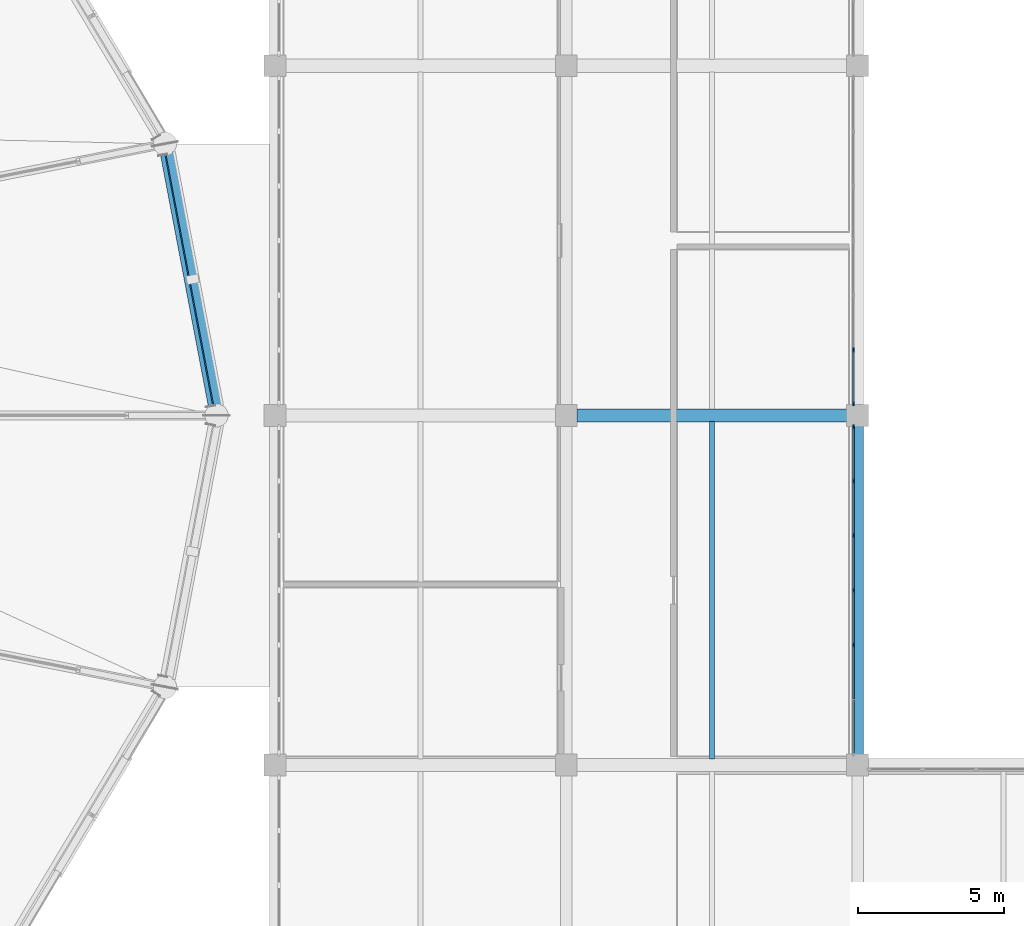
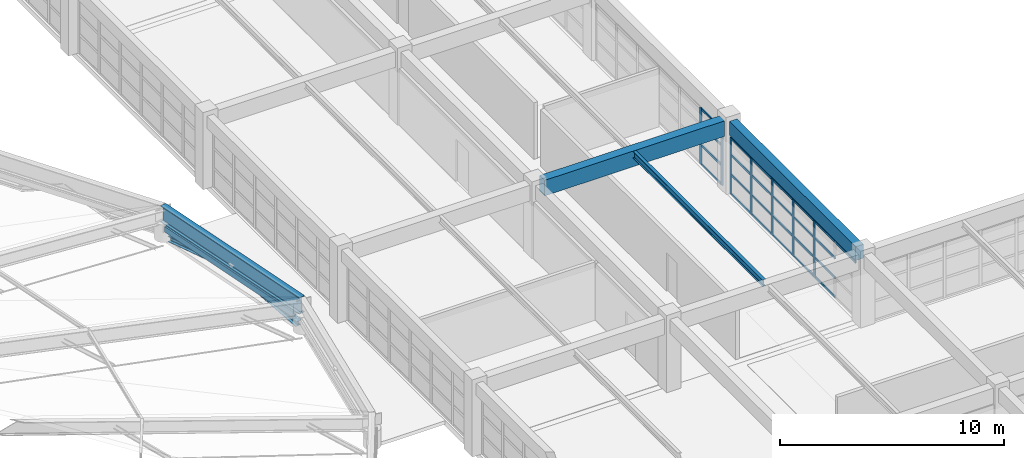
# One storey, part 29 of 83: 32 members, 7 beams, 2 elements without a shape of their own.
"""IFC4 building model written with IfcOpenShell, lengths in metres."""

from ifc_helpers import new_model, si_unit, direction, frame, origin, origin_2d, place, context, subcontext, project, spatial, rectangle, hollow_rectangle, i_section, extrude, material, layer, layer_set, material_profile, profile_set, type_object, element, aggregate, save


model = new_model("IFC4")

# Units and contexts
model_context = context("Model", 3, precision=1e-05, world=origin(), true_north=direction((0.0, 1.0)))
body_context = subcontext(model_context, "Body", "Model", "MODEL_VIEW")
ifc_project = project(units=[si_unit("LENGTHUNIT", "METRE"), si_unit("AREAUNIT", "SQUARE_METRE"), si_unit("VOLUMEUNIT", "CUBIC_METRE"), si_unit("PLANEANGLEUNIT", "RADIAN"), si_unit("MASSUNIT", "GRAM", prefix="KILO")], contexts=[model_context])

# Site, building, storey
site_placement = place(None, origin())
site = spatial("IfcSite", under=ifc_project, at=site_placement, CompositionType="ELEMENT")
building_placement = place(site_placement, origin())
building = spatial("IfcBuilding", under=site, at=building_placement, Name="Kivolera Central Railway Station", CompositionType="ELEMENT")
storey_placement = place(building_placement, frame((0.0, 0.0, 14.39990234375)))
storey = spatial("IfcBuildingStorey", under=building, at=storey_placement, Name="L03", CompositionType="ELEMENT", Elevation=14.39990234375)

# Beams
ifc_material_1 = material(Name="Steel S355", Category="steel")
ifc_material_profile_1 = material_profile(ifc_material_1, hollow_rectangle(XDim=0.14990234375, YDim=0.300048828125, WallThickness=0.012451171875, at=origin_2d()), Name="RHS 300x150x12.5")
ifc_profile_set_1 = profile_set([ifc_material_profile_1], Name="Steel S355")
beam_type_1 = type_object("IfcBeamType", Name="BM-ARCH-HOOD", PredefinedType="SPANDREL", material=ifc_profile_set_1)
beam_1_placement = place(storey_placement, frame((115.791015625, 90.322021484375, 0.735107421875), z_axis=(-0.186806482691, 0.982396731481, 0.0), x_axis=(-0.982396731481, -0.186806482691, 0.0)))
element("IfcBeam", 1, at=beam_1_placement, inside=storey, type_object=beam_type_1, Name="Lantern Spandrel Hood Beam 01", PredefinedType="SPANDREL", context=body_context, shape_type="SweptSolid", body=[
    extrude(hollow_rectangle(XDim=0.14990234375, YDim=0.300048828125, WallThickness=0.012451171875, at=origin_2d()), origin(), (0.0, 0.0, 1.0), 8.7734375),
])
ifc_material_profile_2 = material_profile(ifc_material_1, i_section(OverallWidth=0.169921875, OverallDepth=0.360107421875, WebThickness=0.008056640625, FlangeThickness=0.0126953125, FilletRadius=0.01806640625, at=origin_2d()), Name="IPE 360")
ifc_profile_set_2 = profile_set([ifc_material_profile_2], Name="Steel S355")
beam_type_2 = type_object("IfcBeamType", Name="BM-JST-IPE360", PredefinedType="JOIST", material=ifc_profile_set_2)
beam_2_placement = place(storey_placement, frame((133.0, 78.217041015625, 3.748046875), z_axis=(0.0, 1.0, 0.0), x_axis=(-1.0, 0.0, 0.0)))
element("IfcBeam", 2, at=beam_2_placement, inside=storey, type_object=beam_type_2, Name="L03 Floor Joist 13-14/G-H", PredefinedType="JOIST", context=body_context, shape_type="SweptSolid", body=[
    extrude(i_section(OverallWidth=0.169921875, OverallDepth=0.360107421875, WebThickness=0.008056640625, FlangeThickness=0.0126953125, FilletRadius=0.01806640625, at=origin_2d()), origin(), (0.0, 0.0, 1.0), 11.56591796875),
])
ifc_material_profile_3 = material_profile(ifc_material_1, i_section(OverallWidth=0.300048828125, OverallDepth=0.300048828125, WebThickness=0.010986328125, FlangeThickness=0.01904296875, FilletRadius=0.027099609375, at=origin_2d()), Name="HEB 300")
ifc_profile_set_3 = profile_set([ifc_material_profile_3], Name="Steel S355")
beam_type_3 = type_object("IfcBeamType", Name="BM-LANT-ARCH", PredefinedType="SPANDREL", material=ifc_profile_set_3)
beam_3_placement = place(storey_placement, frame((116.052001953125, 90.37109375, 0.1201171875), z_axis=(-0.184590819243, 0.970104713334, 0.157553402432), x_axis=(-0.982374105679, -0.186925430294, 0.0)))
element("IfcBeam", 3, at=beam_3_placement, inside=storey, type_object=beam_type_3, Name="Oval Lantern Structural Arch Rib 01.1", PredefinedType="SPANDREL", context=body_context, shape_type="SweptSolid", body=[
    extrude(i_section(OverallWidth=0.300048828125, OverallDepth=0.300048828125, WebThickness=0.010986328125, FlangeThickness=0.01904296875, FilletRadius=0.027099609375, at=origin_2d()), origin(), (0.0, 0.0, 1.0), 4.442626953125),
])
beam_4_placement = place(storey_placement, frame((115.23193359375, 94.680908203125, 0.820068359375), z_axis=(-0.184527899204, 0.970117788131, -0.157546601256), x_axis=(-0.982386266393, -0.186861509151, 0.0)))
element("IfcBeam", 4, at=beam_4_placement, inside=storey, type_object=beam_type_3, Name="Oval Lantern Structural Arch Rib 01.2", PredefinedType="SPANDREL", context=body_context, shape_type="SweptSolid", body=[
    extrude(i_section(OverallWidth=0.300048828125, OverallDepth=0.300048828125, WebThickness=0.010986328125, FlangeThickness=0.01904296875, FilletRadius=0.027099609375, at=origin_2d()), origin(), (0.0, 0.0, 1.0), 4.44287109375),
])
ifc_material_profile_4 = material_profile(ifc_material_1, i_section(OverallWidth=0.300048828125, OverallDepth=0.89990234375, WebThickness=0.0185546875, FlangeThickness=0.034912109375, FilletRadius=0.030029296875, at=origin_2d()), Name="HEB 900")
ifc_profile_set_4 = profile_set([ifc_material_profile_4], Name="Steel S355")
beam_type_4 = type_object("IfcBeamType", Name="BM-ORB-HEB900", PredefinedType="BEAM", material=ifc_profile_set_4)
beam_5_placement = place(storey_placement, frame((116.0, 90.0, 1.35009765625), z_axis=(-0.186840028686, 0.982390351989, 0.0), x_axis=(-0.982390351989, -0.186840028686, 0.0)))
element("IfcBeam", 5, at=beam_5_placement, inside=storey, type_object=beam_type_4, Name="Oval Dome Compression Ring Beam ORB-01", PredefinedType="BEAM", context=body_context, shape_type="SweptSolid", body=[
    extrude(i_section(OverallWidth=0.300048828125, OverallDepth=0.89990234375, WebThickness=0.0185546875, FlangeThickness=0.034912109375, FilletRadius=0.030029296875, at=origin_2d()), origin(), (0.0, 0.0, 1.0), 9.48388671875),
])
ifc_material_2 = material(Name="Concrete C40/50", Category="concrete")
ifc_material_profile_5 = material_profile(ifc_material_2, rectangle(XDim=0.39990234375, YDim=0.75, at=origin_2d()), Name="RC 400x750")
ifc_profile_set_5 = profile_set([ifc_material_profile_5], Name="Concrete C40/50")
beam_type_5 = type_object("IfcBeamType", Name="BM-RC-400x750", PredefinedType="BEAM", material=ifc_profile_set_5)
beam_6_placement = place(storey_placement, frame((138.0, 78.366943359375, 3.565185546875), z_axis=(0.0, 1.0, 0.0), x_axis=(-1.0, 0.0, 0.0)))
element("IfcBeam", 6, at=beam_6_placement, inside=storey, type_object=beam_type_5, Name="L03 Wing Y-Beam 14:G-H", PredefinedType="BEAM", context=body_context, shape_type="SweptSolid", body=[
    extrude(rectangle(XDim=0.39990234375, YDim=0.75, at=origin_2d()), origin(), (0.0, 0.0, 1.0), 11.26611328125),
])
ifc_material_profile_6 = material_profile(ifc_material_2, rectangle(XDim=0.449951171875, YDim=0.85009765625, at=origin_2d()), Name="RC 450x850")
ifc_profile_set_6 = profile_set([ifc_material_profile_6], Name="Concrete C40/50")
beam_type_6 = type_object("IfcBeamType", Name="BM-RC-450x850", PredefinedType="BEAM", material=ifc_profile_set_6)
beam_7_placement = place(storey_placement, frame((128.366943359375, 90.0, 3.51513671875), z_axis=(1.0, 0.0, 0.0), x_axis=(0.0, 1.0, 0.0)))
element("IfcBeam", 7, at=beam_7_placement, inside=storey, type_object=beam_type_6, Name="L03 Wing X-Beam H:13-14", PredefinedType="BEAM", context=body_context, shape_type="SweptSolid", body=[
    extrude(rectangle(XDim=0.449951171875, YDim=0.85009765625, at=origin_2d()), origin(), (0.0, 0.0, 1.0), 9.26611328125),
])

# Curtain wall, members
ifc_material_3 = material(Name="Anodised aluminium", Category="aluminium")
ifc_layer = layer(ifc_material_3, 0.179931640625, Name="Anodised aluminium")
ifc_layer_set = layer_set([ifc_layer], Name="Anodised aluminium")
curtain_wall_type = type_object("IfcCurtainWallType", Name="CW-SYS-30", PredefinedType="NOTDEFINED", material=ifc_layer_set)
curtain_wall_1_placement = place(storey_placement, origin())
curtain_wall_1 = element("IfcCurtainWall", 8, at=curtain_wall_1_placement, inside=storey, type_object=curtain_wall_type, Name="L03 Curtain Wall CW-L03-CRTW-G", PredefinedType="NOTDEFINED")
ifc_material_profile_7 = material_profile(ifc_material_3, rectangle(XDim=0.06005859375, YDim=0.14990234375, at=origin_2d()), Name="ALU MULL 60x150")
ifc_profile_set_7 = profile_set([ifc_material_profile_7], Name="Anodised aluminium")
member_type_1 = type_object("IfcMemberType", Name="CWM-MUL-2", PredefinedType="MULLION", material=ifc_profile_set_7)
member_1_placement = place(storey_placement, frame((137.85498046875, 89.60009765625, -0.0048828125), z_axis=(0.0, 0.0, 1.0), x_axis=(1.0, 0.0, 0.0)))
member_1 = element("IfcMember", 9, at=member_1_placement, type_object=member_type_1, Name="CW-30 mullion 1", PredefinedType="MULLION", context=body_context, shape_type="SweptSolid", body=[
    extrude(rectangle(XDim=0.06005859375, YDim=0.14990234375, at=origin_2d()), origin(), (0.0, 0.0, 1.0), 3.0830078125),
])
member_2_placement = place(storey_placement, frame((137.85498046875, 87.75341796875, -0.0048828125), z_axis=(0.0, 0.0, 1.0), x_axis=(1.0, 0.0, 0.0)))
member_2 = element("IfcMember", 10, at=member_2_placement, type_object=member_type_1, Name="CW-30 mullion 2", PredefinedType="MULLION", context=body_context, shape_type="SweptSolid", body=[
    extrude(rectangle(XDim=0.06005859375, YDim=0.14990234375, at=origin_2d()), origin(), (0.0, 0.0, 1.0), 3.0830078125),
])
member_3_placement = place(storey_placement, frame((137.85498046875, 85.876708984375, -0.0048828125), z_axis=(0.0, 0.0, 1.0), x_axis=(1.0, 0.0, 0.0)))
member_3 = element("IfcMember", 11, at=member_3_placement, type_object=member_type_1, Name="CW-30 mullion 3", PredefinedType="MULLION", context=body_context, shape_type="SweptSolid", body=[
    extrude(rectangle(XDim=0.06005859375, YDim=0.14990234375, at=origin_2d()), origin(), (0.0, 0.0, 1.0), 3.0830078125),
])
member_4_placement = place(storey_placement, frame((137.85498046875, 84.0, -0.0048828125), z_axis=(0.0, 0.0, 1.0), x_axis=(1.0, 0.0, 0.0)))
member_4 = element("IfcMember", 12, at=member_4_placement, type_object=member_type_1, Name="CW-30 mullion 4", PredefinedType="MULLION", context=body_context, shape_type="SweptSolid", body=[
    extrude(rectangle(XDim=0.06005859375, YDim=0.14990234375, at=origin_2d()), origin(), (0.0, 0.0, 1.0), 3.0830078125),
])
member_5_placement = place(storey_placement, frame((137.85498046875, 82.123291015625, -0.0048828125), z_axis=(0.0, 0.0, 1.0), x_axis=(1.0, 0.0, 0.0)))
member_5 = element("IfcMember", 13, at=member_5_placement, type_object=member_type_1, Name="CW-30 mullion 5", PredefinedType="MULLION", context=body_context, shape_type="SweptSolid", body=[
    extrude(rectangle(XDim=0.06005859375, YDim=0.14990234375, at=origin_2d()), origin(), (0.0, 0.0, 1.0), 3.0830078125),
])

curtain_wall_2_placement = place(storey_placement, origin())
curtain_wall_2 = element("IfcCurtainWall", 14, at=curtain_wall_2_placement, inside=storey, type_object=curtain_wall_type, Name="L03 Curtain Wall CW-L03-CRTW-H", PredefinedType="NOTDEFINED")
member_6_placement = place(storey_placement, frame((137.85498046875, 92.24658203125, -0.0048828125), z_axis=(0.0, 0.0, 1.0), x_axis=(1.0, 0.0, 0.0)))
member_6 = element("IfcMember", 15, at=member_6_placement, type_object=member_type_1, Name="CW-30 mullion 6", PredefinedType="MULLION", context=body_context, shape_type="SweptSolid", body=[
    extrude(rectangle(XDim=0.06005859375, YDim=0.14990234375, at=origin_2d()), origin(), (0.0, 0.0, 1.0), 3.0830078125),
])
member_7_placement = place(storey_placement, frame((137.85498046875, 90.39990234375, -0.0048828125), z_axis=(0.0, 0.0, 1.0), x_axis=(1.0, 0.0, 0.0)))
member_7 = element("IfcMember", 16, at=member_7_placement, type_object=member_type_1, Name="CW-30 mullion 7", PredefinedType="MULLION", context=body_context, shape_type="SweptSolid", body=[
    extrude(rectangle(XDim=0.06005859375, YDim=0.14990234375, at=origin_2d()), origin(), (0.0, 0.0, 1.0), 3.0830078125),
])

# Member
ifc_material_profile_8 = material_profile(ifc_material_3, rectangle(XDim=0.06005859375, YDim=0.1201171875, at=origin_2d()), Name="ALU TRAN 60x120")
ifc_profile_set_8 = profile_set([ifc_material_profile_8], Name="Anodised aluminium")
member_type_2 = type_object("IfcMemberType", Name="CWM-TRN-2", PredefinedType="USERDEFINED", material=ifc_profile_set_8)
member_8_placement = place(storey_placement, frame((137.85498046875, 89.570068359375, 0.030029296875), z_axis=(0.0, -1.0, 0.0), x_axis=(1.0, 0.0, 0.0)))
member_8 = element("IfcMember", 17, at=member_8_placement, type_object=member_type_2, Name="CW-30 transom 1.1", ObjectType="TRANSOM", PredefinedType="USERDEFINED", context=body_context, shape_type="SweptSolid", body=[
    extrude(rectangle(XDim=0.06005859375, YDim=0.1201171875, at=origin_2d()), origin(), (0.0, 0.0, 1.0), 1.78662109375),
])

member_9_placement = place(storey_placement, frame((137.85498046875, 89.570068359375, 1.077392578125), z_axis=(0.0, -1.0, 0.0), x_axis=(1.0, 0.0, 0.0)))
member_9 = element("IfcMember", 18, at=member_9_placement, type_object=member_type_2, Name="CW-30 transom 1.2", ObjectType="TRANSOM", PredefinedType="USERDEFINED", context=body_context, shape_type="SweptSolid", body=[
    extrude(rectangle(XDim=0.06005859375, YDim=0.1201171875, at=origin_2d()), origin(), (0.0, 0.0, 1.0), 1.78662109375),
])

member_10_placement = place(storey_placement, frame((137.85498046875, 89.570068359375, 2.15478515625), z_axis=(0.0, -1.0, 0.0), x_axis=(1.0, 0.0, 0.0)))
member_10 = element("IfcMember", 19, at=member_10_placement, type_object=member_type_2, Name="CW-30 transom 1.3", ObjectType="TRANSOM", PredefinedType="USERDEFINED", context=body_context, shape_type="SweptSolid", body=[
    extrude(rectangle(XDim=0.06005859375, YDim=0.1201171875, at=origin_2d()), origin(), (0.0, 0.0, 1.0), 1.78662109375),
])

member_11_placement = place(storey_placement, frame((137.85498046875, 89.570068359375, 3.048095703125), z_axis=(0.0, -1.0, 0.0), x_axis=(1.0, 0.0, 0.0)))
member_11 = element("IfcMember", 20, at=member_11_placement, type_object=member_type_2, Name="CW-30 transom 1.4", ObjectType="TRANSOM", PredefinedType="USERDEFINED", context=body_context, shape_type="SweptSolid", body=[
    extrude(rectangle(XDim=0.06005859375, YDim=0.1201171875, at=origin_2d()), origin(), (0.0, 0.0, 1.0), 1.78662109375),
])

member_12_placement = place(storey_placement, frame((137.85498046875, 87.723388671875, 0.030029296875), z_axis=(0.0, -1.0, 0.0), x_axis=(1.0, 0.0, 0.0)))
member_12 = element("IfcMember", 21, at=member_12_placement, type_object=member_type_2, Name="CW-30 transom 2.1", ObjectType="TRANSOM", PredefinedType="USERDEFINED", context=body_context, shape_type="SweptSolid", body=[
    extrude(rectangle(XDim=0.06005859375, YDim=0.1201171875, at=origin_2d()), origin(), (0.0, 0.0, 1.0), 1.816650390625),
])

member_13_placement = place(storey_placement, frame((137.85498046875, 87.723388671875, 1.077392578125), z_axis=(0.0, -1.0, 0.0), x_axis=(1.0, 0.0, 0.0)))
member_13 = element("IfcMember", 22, at=member_13_placement, type_object=member_type_2, Name="CW-30 transom 2.2", ObjectType="TRANSOM", PredefinedType="USERDEFINED", context=body_context, shape_type="SweptSolid", body=[
    extrude(rectangle(XDim=0.06005859375, YDim=0.1201171875, at=origin_2d()), origin(), (0.0, 0.0, 1.0), 1.816650390625),
])

member_14_placement = place(storey_placement, frame((137.85498046875, 87.723388671875, 2.15478515625), z_axis=(0.0, -1.0, 0.0), x_axis=(1.0, 0.0, 0.0)))
member_14 = element("IfcMember", 23, at=member_14_placement, type_object=member_type_2, Name="CW-30 transom 2.3", ObjectType="TRANSOM", PredefinedType="USERDEFINED", context=body_context, shape_type="SweptSolid", body=[
    extrude(rectangle(XDim=0.06005859375, YDim=0.1201171875, at=origin_2d()), origin(), (0.0, 0.0, 1.0), 1.816650390625),
])

member_15_placement = place(storey_placement, frame((137.85498046875, 87.723388671875, 3.048095703125), z_axis=(0.0, -1.0, 0.0), x_axis=(1.0, 0.0, 0.0)))
member_15 = element("IfcMember", 24, at=member_15_placement, type_object=member_type_2, Name="CW-30 transom 2.4", ObjectType="TRANSOM", PredefinedType="USERDEFINED", context=body_context, shape_type="SweptSolid", body=[
    extrude(rectangle(XDim=0.06005859375, YDim=0.1201171875, at=origin_2d()), origin(), (0.0, 0.0, 1.0), 1.816650390625),
])

member_16_placement = place(storey_placement, frame((137.85498046875, 85.8466796875, 0.030029296875), z_axis=(0.0, -1.0, 0.0), x_axis=(1.0, 0.0, 0.0)))
member_16 = element("IfcMember", 25, at=member_16_placement, type_object=member_type_2, Name="CW-30 transom 3.1", ObjectType="TRANSOM", PredefinedType="USERDEFINED", context=body_context, shape_type="SweptSolid", body=[
    extrude(rectangle(XDim=0.06005859375, YDim=0.1201171875, at=origin_2d()), origin(), (0.0, 0.0, 1.0), 1.816650390625),
])

member_17_placement = place(storey_placement, frame((137.85498046875, 85.8466796875, 1.077392578125), z_axis=(0.0, -1.0, 0.0), x_axis=(1.0, 0.0, 0.0)))
member_17 = element("IfcMember", 26, at=member_17_placement, type_object=member_type_2, Name="CW-30 transom 3.2", ObjectType="TRANSOM", PredefinedType="USERDEFINED", context=body_context, shape_type="SweptSolid", body=[
    extrude(rectangle(XDim=0.06005859375, YDim=0.1201171875, at=origin_2d()), origin(), (0.0, 0.0, 1.0), 1.816650390625),
])

member_18_placement = place(storey_placement, frame((137.85498046875, 85.8466796875, 2.15478515625), z_axis=(0.0, -1.0, 0.0), x_axis=(1.0, 0.0, 0.0)))
member_18 = element("IfcMember", 27, at=member_18_placement, type_object=member_type_2, Name="CW-30 transom 3.3", ObjectType="TRANSOM", PredefinedType="USERDEFINED", context=body_context, shape_type="SweptSolid", body=[
    extrude(rectangle(XDim=0.06005859375, YDim=0.1201171875, at=origin_2d()), origin(), (0.0, 0.0, 1.0), 1.816650390625),
])

member_19_placement = place(storey_placement, frame((137.85498046875, 85.8466796875, 3.048095703125), z_axis=(0.0, -1.0, 0.0), x_axis=(1.0, 0.0, 0.0)))
member_19 = element("IfcMember", 28, at=member_19_placement, type_object=member_type_2, Name="CW-30 transom 3.4", ObjectType="TRANSOM", PredefinedType="USERDEFINED", context=body_context, shape_type="SweptSolid", body=[
    extrude(rectangle(XDim=0.06005859375, YDim=0.1201171875, at=origin_2d()), origin(), (0.0, 0.0, 1.0), 1.816650390625),
])

member_20_placement = place(storey_placement, frame((137.85498046875, 83.969970703125, 0.030029296875), z_axis=(0.0, -1.0, 0.0), x_axis=(1.0, 0.0, 0.0)))
member_20 = element("IfcMember", 29, at=member_20_placement, type_object=member_type_2, Name="CW-30 transom 4.1", ObjectType="TRANSOM", PredefinedType="USERDEFINED", context=body_context, shape_type="SweptSolid", body=[
    extrude(rectangle(XDim=0.06005859375, YDim=0.1201171875, at=origin_2d()), origin(), (0.0, 0.0, 1.0), 1.816650390625),
])

member_21_placement = place(storey_placement, frame((137.85498046875, 83.969970703125, 1.077392578125), z_axis=(0.0, -1.0, 0.0), x_axis=(1.0, 0.0, 0.0)))
member_21 = element("IfcMember", 30, at=member_21_placement, type_object=member_type_2, Name="CW-30 transom 4.2", ObjectType="TRANSOM", PredefinedType="USERDEFINED", context=body_context, shape_type="SweptSolid", body=[
    extrude(rectangle(XDim=0.06005859375, YDim=0.1201171875, at=origin_2d()), origin(), (0.0, 0.0, 1.0), 1.816650390625),
])

member_22_placement = place(storey_placement, frame((137.85498046875, 83.969970703125, 2.15478515625), z_axis=(0.0, -1.0, 0.0), x_axis=(1.0, 0.0, 0.0)))
member_22 = element("IfcMember", 31, at=member_22_placement, type_object=member_type_2, Name="CW-30 transom 4.3", ObjectType="TRANSOM", PredefinedType="USERDEFINED", context=body_context, shape_type="SweptSolid", body=[
    extrude(rectangle(XDim=0.06005859375, YDim=0.1201171875, at=origin_2d()), origin(), (0.0, 0.0, 1.0), 1.816650390625),
])

member_23_placement = place(storey_placement, frame((137.85498046875, 83.969970703125, 3.048095703125), z_axis=(0.0, -1.0, 0.0), x_axis=(1.0, 0.0, 0.0)))
member_23 = element("IfcMember", 32, at=member_23_placement, type_object=member_type_2, Name="CW-30 transom 4.4", ObjectType="TRANSOM", PredefinedType="USERDEFINED", context=body_context, shape_type="SweptSolid", body=[
    extrude(rectangle(XDim=0.06005859375, YDim=0.1201171875, at=origin_2d()), origin(), (0.0, 0.0, 1.0), 1.816650390625),
])

member_24_placement = place(storey_placement, frame((137.85498046875, 82.09326171875, 0.030029296875), z_axis=(0.0, -1.0, 0.0), x_axis=(1.0, 0.0, 0.0)))
member_24 = element("IfcMember", 33, at=member_24_placement, type_object=member_type_2, Name="CW-30 transom 5.1", ObjectType="TRANSOM", PredefinedType="USERDEFINED", context=body_context, shape_type="SweptSolid", body=[
    extrude(rectangle(XDim=0.06005859375, YDim=0.1201171875, at=origin_2d()), origin(), (0.0, 0.0, 1.0), 1.816650390625),
])

member_25_placement = place(storey_placement, frame((137.85498046875, 82.09326171875, 1.077392578125), z_axis=(0.0, -1.0, 0.0), x_axis=(1.0, 0.0, 0.0)))
member_25 = element("IfcMember", 34, at=member_25_placement, type_object=member_type_2, Name="CW-30 transom 5.2", ObjectType="TRANSOM", PredefinedType="USERDEFINED", context=body_context, shape_type="SweptSolid", body=[
    extrude(rectangle(XDim=0.06005859375, YDim=0.1201171875, at=origin_2d()), origin(), (0.0, 0.0, 1.0), 1.816650390625),
])

member_26_placement = place(storey_placement, frame((137.85498046875, 82.09326171875, 2.15478515625), z_axis=(0.0, -1.0, 0.0), x_axis=(1.0, 0.0, 0.0)))
member_26 = element("IfcMember", 35, at=member_26_placement, type_object=member_type_2, Name="CW-30 transom 5.3", ObjectType="TRANSOM", PredefinedType="USERDEFINED", context=body_context, shape_type="SweptSolid", body=[
    extrude(rectangle(XDim=0.06005859375, YDim=0.1201171875, at=origin_2d()), origin(), (0.0, 0.0, 1.0), 1.816650390625),
])

member_27_placement = place(storey_placement, frame((137.85498046875, 82.09326171875, 3.048095703125), z_axis=(0.0, -1.0, 0.0), x_axis=(1.0, 0.0, 0.0)))
member_27 = element("IfcMember", 36, at=member_27_placement, type_object=member_type_2, Name="CW-30 transom 5.4", ObjectType="TRANSOM", PredefinedType="USERDEFINED", context=body_context, shape_type="SweptSolid", body=[
    extrude(rectangle(XDim=0.06005859375, YDim=0.1201171875, at=origin_2d()), origin(), (0.0, 0.0, 1.0), 1.816650390625),
])

member_28_placement = place(storey_placement, frame((137.85498046875, 80.216552734375, 3.048095703125), z_axis=(0.0, -1.0, 0.0), x_axis=(1.0, 0.0, 0.0)))
member_28 = element("IfcMember", 37, at=member_28_placement, type_object=member_type_2, Name="CW-30 transom 6.4", ObjectType="TRANSOM", PredefinedType="USERDEFINED", context=body_context, shape_type="SweptSolid", body=[
    extrude(rectangle(XDim=0.06005859375, YDim=0.1201171875, at=origin_2d()), origin(), (0.0, 0.0, 1.0), 1.78662109375),
])

aggregate(curtain_wall_1, [member_1, member_2, member_3, member_4, member_5, member_8, member_9, member_10, member_11, member_12, member_13, member_14, member_15, member_16, member_17, member_18, member_19, member_20, member_21, member_22, member_23, member_24, member_25, member_26, member_27, member_28])

member_29_placement = place(storey_placement, frame((137.85498046875, 92.216552734375, 0.030029296875), z_axis=(0.0, -1.0, 0.0), x_axis=(1.0, 0.0, 0.0)))
member_29 = element("IfcMember", 38, at=member_29_placement, type_object=member_type_2, Name="CW-30 transom 6.1", ObjectType="TRANSOM", PredefinedType="USERDEFINED", context=body_context, shape_type="SweptSolid", body=[
    extrude(rectangle(XDim=0.06005859375, YDim=0.1201171875, at=origin_2d()), origin(), (0.0, 0.0, 1.0), 1.78662109375),
])

member_30_placement = place(storey_placement, frame((137.85498046875, 92.216552734375, 1.077392578125), z_axis=(0.0, -1.0, 0.0), x_axis=(1.0, 0.0, 0.0)))
member_30 = element("IfcMember", 39, at=member_30_placement, type_object=member_type_2, Name="CW-30 transom 6.2", ObjectType="TRANSOM", PredefinedType="USERDEFINED", context=body_context, shape_type="SweptSolid", body=[
    extrude(rectangle(XDim=0.06005859375, YDim=0.1201171875, at=origin_2d()), origin(), (0.0, 0.0, 1.0), 1.78662109375),
])

member_31_placement = place(storey_placement, frame((137.85498046875, 92.216552734375, 2.15478515625), z_axis=(0.0, -1.0, 0.0), x_axis=(1.0, 0.0, 0.0)))
member_31 = element("IfcMember", 40, at=member_31_placement, type_object=member_type_2, Name="CW-30 transom 6.3", ObjectType="TRANSOM", PredefinedType="USERDEFINED", context=body_context, shape_type="SweptSolid", body=[
    extrude(rectangle(XDim=0.06005859375, YDim=0.1201171875, at=origin_2d()), origin(), (0.0, 0.0, 1.0), 1.78662109375),
])

member_32_placement = place(storey_placement, frame((137.85498046875, 92.216552734375, 3.048095703125), z_axis=(0.0, -1.0, 0.0), x_axis=(1.0, 0.0, 0.0)))
member_32 = element("IfcMember", 41, at=member_32_placement, type_object=member_type_2, Name="CW-30 transom 6.4", ObjectType="TRANSOM", PredefinedType="USERDEFINED", context=body_context, shape_type="SweptSolid", body=[
    extrude(rectangle(XDim=0.06005859375, YDim=0.1201171875, at=origin_2d()), origin(), (0.0, 0.0, 1.0), 1.78662109375),
])

aggregate(curtain_wall_2, [member_6, member_7, member_29, member_30, member_31, member_32])

save(model, "model.ifc")
